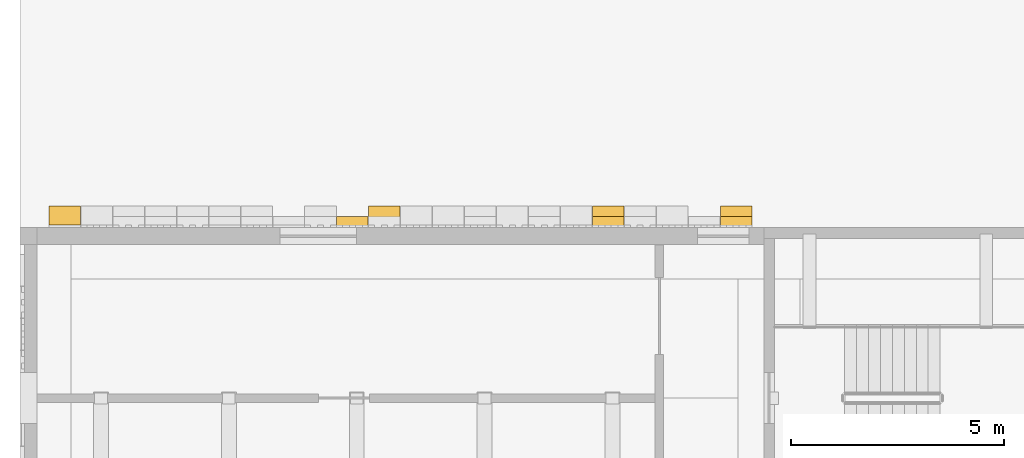
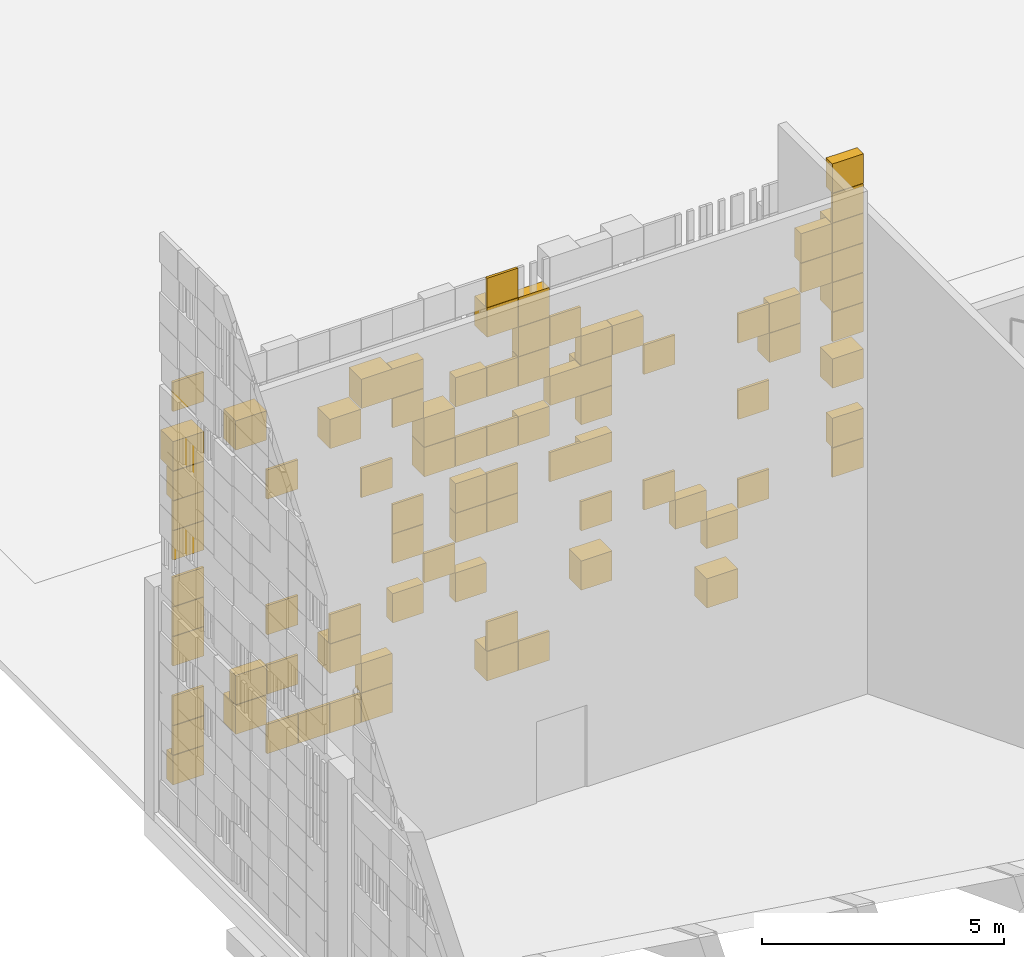
# One storey, part 114 of 125: 1 covering.
"""IFC4 building model written with IfcOpenShell, lengths in metres."""

from ifc_helpers import new_model, si_unit, direction, frame, origin, origin_2d, place, context, subcontext, project, spatial, rectangle, extrude, material, layer, layer_set, type_object, element, save


model = new_model("IFC4")

# Units and contexts
model_context = context("Model", 3, precision=1e-05, world=origin(), true_north=direction((0.0, 1.0)))
body_context = subcontext(model_context, "Body", "Model", "MODEL_VIEW")
ifc_project = project(units=[si_unit("LENGTHUNIT", "METRE"), si_unit("AREAUNIT", "SQUARE_METRE"), si_unit("VOLUMEUNIT", "CUBIC_METRE"), si_unit("PLANEANGLEUNIT", "RADIAN"), si_unit("MASSUNIT", "GRAM", prefix="KILO")], contexts=[model_context])

# Site, building, storey
site_placement = place(None, origin())
site = spatial("IfcSite", under=ifc_project, at=site_placement, CompositionType="ELEMENT")
building_placement = place(site_placement, origin())
building = spatial("IfcBuilding", under=site, at=building_placement, Name="Sun Court Science Centre", CompositionType="ELEMENT")
storey_placement = place(building_placement, origin())
storey = spatial("IfcBuildingStorey", under=building, at=storey_placement, Name="L00", CompositionType="ELEMENT", Elevation=0.0)

# Covering
ifc_material = material(Name="Terracotta shade 1", Category="masonry")
ifc_layer = layer(ifc_material, 0.06005859375)
ifc_layer_set = layer_set([ifc_layer], Name="Terracotta shade 1")
covering_type = type_object("IfcCoveringType", Name="Terracotta pixel panel shade 1", PredefinedType="CLADDING", material=ifc_layer_set)
covering_placement = place(storey_placement, origin())
element("IfcCovering", 1, at=covering_placement, inside=storey, type_object=covering_type, Name="Terracotta pixel cladding shade 1 north wall L00", PredefinedType="CLADDING", context=body_context, shape_type="SweptSolid", body=[
    extrude(rectangle(XDim=0.739990234375, YDim=0.06005859375, at=origin_2d()), frame((3.300048828125, 72.030029296875, 0.22998046875), z_axis=(0.0, 0.0, 1.0), x_axis=(1.0, 0.0, 0.0)), (0.0, 0.0, 1.0), 0.739990234375),
    extrude(rectangle(XDim=0.739990234375, YDim=0.06005859375, at=origin_2d()), frame((4.050048828125, 72.030029296875, 0.22998046875), z_axis=(0.0, 0.0, 1.0), x_axis=(1.0, 0.0, 0.0)), (0.0, 0.0, 1.0), 0.739990234375),
    extrude(rectangle(XDim=0.739990234375, YDim=0.06005859375, at=origin_2d()), frame((4.800048828125, 72.030029296875, 0.22998046875), z_axis=(0.0, 0.0, 1.0), x_axis=(1.0, 0.0, 0.0)), (0.0, 0.0, 1.0), 0.739990234375),
    extrude(rectangle(XDim=0.739990234375, YDim=0.06005859375, at=origin_2d()), frame((5.550048828125, 72.030029296875, 0.22998046875), z_axis=(0.0, 0.0, 1.0), x_axis=(1.0, 0.0, 0.0)), (0.0, 0.0, 1.0), 0.739990234375),
    extrude(rectangle(XDim=0.739990234375, YDim=0.510009765625, at=origin_2d()), frame((8.550048828125, 72.2548828125, 0.22998046875), z_axis=(0.0, 0.0, 1.0), x_axis=(1.0, 0.0, 0.0)), (0.0, 0.0, 1.0), 0.739990234375),
    extrude(rectangle(XDim=0.739990234375, YDim=0.06005859375, at=origin_2d()), frame((9.300048828125, 72.030029296875, 0.22998046875), z_axis=(0.0, 0.0, 1.0), x_axis=(1.0, 0.0, 0.0)), (0.0, 0.0, 1.0), 0.739990234375),
    extrude(rectangle(XDim=0.739990234375, YDim=0.510009765625, at=origin_2d()), frame((13.800048828125, 72.2548828125, 0.22998046875), z_axis=(0.0, 0.0, 1.0), x_axis=(1.0, 0.0, 0.0)), (0.0, 0.0, 1.0), 0.739990234375),
    extrude(rectangle(XDim=0.739990234375, YDim=0.510009765625, at=origin_2d()), frame((2.550048828125, 72.2548828125, 0.97998046875), z_axis=(0.0, 0.0, 1.0), x_axis=(1.0, 0.0, 0.0)), (0.0, 0.0, 1.0), 0.739990234375),
    extrude(rectangle(XDim=0.739990234375, YDim=0.260009765625, at=origin_2d()), frame((5.550048828125, 72.1298828125, 0.97998046875), z_axis=(0.0, 0.0, 1.0), x_axis=(1.0, 0.0, 0.0)), (0.0, 0.0, 1.0), 0.739990234375),
    extrude(rectangle(XDim=0.739990234375, YDim=0.06005859375, at=origin_2d()), frame((8.550048828125, 72.030029296875, 0.97998046875), z_axis=(0.0, 0.0, 1.0), x_axis=(1.0, 0.0, 0.0)), (0.0, 0.0, 1.0), 0.739990234375),
    extrude(rectangle(XDim=0.739990234375, YDim=0.260009765625, at=origin_2d()), frame((2.550048828125, 72.1298828125, 1.72998046875), z_axis=(0.0, 0.0, 1.0), x_axis=(1.0, 0.0, 0.0)), (0.0, 0.0, 1.0), 0.739990234375),
    extrude(rectangle(XDim=0.739990234375, YDim=0.06005859375, at=origin_2d()), frame((3.300048828125, 72.030029296875, 1.72998046875), z_axis=(0.0, 0.0, 1.0), x_axis=(1.0, 0.0, 0.0)), (0.0, 0.0, 1.0), 0.739990234375),
    extrude(rectangle(XDim=0.739990234375, YDim=0.510009765625, at=origin_2d()), frame((4.800048828125, 72.2548828125, 1.72998046875), z_axis=(0.0, 0.0, 1.0), x_axis=(1.0, 0.0, 0.0)), (0.0, 0.0, 1.0), 0.739990234375),
    extrude(rectangle(XDim=0.739990234375, YDim=0.510009765625, at=origin_2d()), frame((10.800048828125, 72.2548828125, 1.72998046875), z_axis=(0.0, 0.0, 1.0), x_axis=(1.0, 0.0, 0.0)), (0.0, 0.0, 1.0), 0.739990234375),
    extrude(rectangle(XDim=0.739990234375, YDim=0.260009765625, at=origin_2d()), frame((13.800048828125, 72.1298828125, 1.72998046875), z_axis=(0.0, 0.0, 1.0), x_axis=(1.0, 0.0, 0.0)), (0.0, 0.0, 1.0), 0.739990234375),
    extrude(rectangle(XDim=0.739990234375, YDim=0.06005859375, at=origin_2d()), frame((4.800048828125, 72.030029296875, 2.47998046875), z_axis=(0.0, 0.0, 1.0), x_axis=(1.0, 0.0, 0.0)), (0.0, 0.0, 1.0), 0.739990234375),
    extrude(rectangle(XDim=0.739990234375, YDim=0.260009765625, at=origin_2d()), frame((6.300048828125, 72.1298828125, 2.47998046875), z_axis=(0.0, 0.0, 1.0), x_axis=(1.0, 0.0, 0.0)), (0.0, 0.0, 1.0), 0.739990234375),
    extrude(rectangle(XDim=0.739990234375, YDim=0.260009765625, at=origin_2d()), frame((7.800048828125, 72.1298828125, 2.47998046875), z_axis=(0.0, 0.0, 1.0), x_axis=(1.0, 0.0, 0.0)), (0.0, 0.0, 1.0), 0.739990234375),
    extrude(rectangle(XDim=0.739990234375, YDim=0.260009765625, at=origin_2d()), frame((13.050048828125, 72.1298828125, 2.47998046875), z_axis=(0.0, 0.0, 1.0), x_axis=(1.0, 0.0, 0.0)), (0.0, 0.0, 1.0), 0.739990234375),
    extrude(rectangle(XDim=0.739990234375, YDim=0.06005859375, at=origin_2d()), frame((14.550048828125, 72.030029296875, 2.47998046875), z_axis=(0.0, 0.0, 1.0), x_axis=(1.0, 0.0, 0.0)), (0.0, 0.0, 1.0), 0.739990234375),
    extrude(rectangle(XDim=0.739990234375, YDim=0.06005859375, at=origin_2d()), frame((3.300048828125, 72.030029296875, 3.22998046875), z_axis=(0.0, 0.0, 1.0), x_axis=(1.0, 0.0, 0.0)), (0.0, 0.0, 1.0), 0.739990234375),
    extrude(rectangle(XDim=0.739990234375, YDim=0.06005859375, at=origin_2d()), frame((7.050048828125, 72.030029296875, 3.22998046875), z_axis=(0.0, 0.0, 1.0), x_axis=(1.0, 0.0, 0.0)), (0.0, 0.0, 1.0), 0.739990234375),
    extrude(rectangle(XDim=0.739990234375, YDim=0.06005859375, at=origin_2d()), frame((10.800048828125, 72.030029296875, 3.22998046875), z_axis=(0.0, 0.0, 1.0), x_axis=(1.0, 0.0, 0.0)), (0.0, 0.0, 1.0), 0.739990234375),
    extrude(rectangle(XDim=0.739990234375, YDim=0.06005859375, at=origin_2d()), frame((12.300048828125, 72.030029296875, 3.22998046875), z_axis=(0.0, 0.0, 1.0), x_axis=(1.0, 0.0, 0.0)), (0.0, 0.0, 1.0), 0.739990234375),
    extrude(rectangle(XDim=0.739990234375, YDim=0.06005859375, at=origin_2d()), frame((1.050048828125, 72.030029296875, 3.97998046875), z_axis=(0.0, 0.0, 1.0), x_axis=(1.0, 0.0, 0.0)), (0.0, 0.0, 1.0), 0.739990234375),
    extrude(rectangle(XDim=0.739990234375, YDim=0.06005859375, at=origin_2d()), frame((6.300048828125, 72.030029296875, 3.97998046875), z_axis=(0.0, 0.0, 1.0), x_axis=(1.0, 0.0, 0.0)), (0.0, 0.0, 1.0), 0.739990234375),
    extrude(rectangle(XDim=0.739990234375, YDim=0.260009765625, at=origin_2d()), frame((7.800048828125, 72.1298828125, 3.97998046875), z_axis=(0.0, 0.0, 1.0), x_axis=(1.0, 0.0, 0.0)), (0.0, 0.0, 1.0), 0.739990234375),
    extrude(rectangle(XDim=0.739990234375, YDim=0.06005859375, at=origin_2d()), frame((8.550048828125, 72.030029296875, 3.97998046875), z_axis=(0.0, 0.0, 1.0), x_axis=(1.0, 0.0, 0.0)), (0.0, 0.0, 1.0), 0.739990234375),
    extrude(rectangle(XDim=0.739990234375, YDim=0.06005859375, at=origin_2d()), frame((1.050048828125, 72.030029296875, 4.72998046875), z_axis=(0.0, 0.0, 1.0), x_axis=(1.0, 0.0, 0.0)), (0.0, 0.0, 1.0), 0.739990234375),
    extrude(rectangle(XDim=0.739990234375, YDim=0.06005859375, at=origin_2d()), frame((6.300048828125, 72.030029296875, 4.72998046875), z_axis=(0.0, 0.0, 1.0), x_axis=(1.0, 0.0, 0.0)), (0.0, 0.0, 1.0), 0.739990234375),
    extrude(rectangle(XDim=0.739990234375, YDim=0.260009765625, at=origin_2d()), frame((7.800048828125, 72.1298828125, 4.72998046875), z_axis=(0.0, 0.0, 1.0), x_axis=(1.0, 0.0, 0.0)), (0.0, 0.0, 1.0), 0.739990234375),
    extrude(rectangle(XDim=0.739990234375, YDim=0.06005859375, at=origin_2d()), frame((8.550048828125, 72.030029296875, 4.72998046875), z_axis=(0.0, 0.0, 1.0), x_axis=(1.0, 0.0, 0.0)), (0.0, 0.0, 1.0), 0.739990234375),
    extrude(rectangle(XDim=0.739990234375, YDim=0.06005859375, at=origin_2d()), frame((10.050048828125, 72.030029296875, 4.72998046875), z_axis=(0.0, 0.0, 1.0), x_axis=(1.0, 0.0, 0.0)), (0.0, 0.0, 1.0), 0.739990234375),
    extrude(rectangle(XDim=0.739990234375, YDim=0.260009765625, at=origin_2d()), frame((10.800048828125, 72.1298828125, 4.72998046875), z_axis=(0.0, 0.0, 1.0), x_axis=(1.0, 0.0, 0.0)), (0.0, 0.0, 1.0), 0.739990234375),
    extrude(rectangle(XDim=0.739990234375, YDim=0.06005859375, at=origin_2d()), frame((14.550048828125, 72.030029296875, 4.72998046875), z_axis=(0.0, 0.0, 1.0), x_axis=(1.0, 0.0, 0.0)), (0.0, 0.0, 1.0), 0.739990234375),
    extrude(rectangle(XDim=0.739990234375, YDim=0.06005859375, at=origin_2d()), frame((1.050048828125, 72.030029296875, 5.90478515625), z_axis=(0.0, 0.0, 1.0), x_axis=(1.0, 0.0, 0.0)), (0.0, 0.0, 1.0), 0.739990234375),
    extrude(rectangle(XDim=0.739990234375, YDim=0.06005859375, at=origin_2d()), frame((5.550048828125, 72.030029296875, 5.90478515625), z_axis=(0.0, 0.0, 1.0), x_axis=(1.0, 0.0, 0.0)), (0.0, 0.0, 1.0), 0.739990234375),
    extrude(rectangle(XDim=0.739990234375, YDim=0.510009765625, at=origin_2d()), frame((7.050048828125, 72.2548828125, 5.90478515625), z_axis=(0.0, 0.0, 1.0), x_axis=(1.0, 0.0, 0.0)), (0.0, 0.0, 1.0), 0.739990234375),
    extrude(rectangle(XDim=0.739990234375, YDim=0.06005859375, at=origin_2d()), frame((7.800048828125, 72.030029296875, 5.90478515625), z_axis=(0.0, 0.0, 1.0), x_axis=(1.0, 0.0, 0.0)), (0.0, 0.0, 1.0), 0.739990234375),
    extrude(rectangle(XDim=0.739990234375, YDim=0.06005859375, at=origin_2d()), frame((8.550048828125, 72.030029296875, 5.90478515625), z_axis=(0.0, 0.0, 1.0), x_axis=(1.0, 0.0, 0.0)), (0.0, 0.0, 1.0), 0.739990234375),
    extrude(rectangle(XDim=0.739990234375, YDim=0.260009765625, at=origin_2d()), frame((9.300048828125, 72.1298828125, 5.90478515625), z_axis=(0.0, 0.0, 1.0), x_axis=(1.0, 0.0, 0.0)), (0.0, 0.0, 1.0), 0.739990234375),
    extrude(rectangle(XDim=0.739990234375, YDim=0.260009765625, at=origin_2d()), frame((10.800048828125, 72.1298828125, 5.90478515625), z_axis=(0.0, 0.0, 1.0), x_axis=(1.0, 0.0, 0.0)), (0.0, 0.0, 1.0), 0.739990234375),
    extrude(rectangle(XDim=0.739990234375, YDim=0.510009765625, at=origin_2d()), frame((15.300048828125, 72.2548828125, 5.90478515625), z_axis=(0.0, 0.0, 1.0), x_axis=(1.0, 0.0, 0.0)), (0.0, 0.0, 1.0), 0.739990234375),
    extrude(rectangle(XDim=0.739990234375, YDim=0.06005859375, at=origin_2d()), frame((3.300048828125, 72.030029296875, 6.65478515625), z_axis=(0.0, 0.0, 1.0), x_axis=(1.0, 0.0, 0.0)), (0.0, 0.0, 1.0), 0.739990234375),
    extrude(rectangle(XDim=0.739990234375, YDim=0.510009765625, at=origin_2d()), frame((7.050048828125, 72.2548828125, 6.65478515625), z_axis=(0.0, 0.0, 1.0), x_axis=(1.0, 0.0, 0.0)), (0.0, 0.0, 1.0), 0.739990234375),
    extrude(rectangle(XDim=0.739990234375, YDim=0.260009765625, at=origin_2d()), frame((10.050048828125, 72.1298828125, 6.65478515625), z_axis=(0.0, 0.0, 1.0), x_axis=(1.0, 0.0, 0.0)), (0.0, 0.0, 1.0), 0.739990234375),
    extrude(rectangle(XDim=0.739990234375, YDim=0.510009765625, at=origin_2d()), frame((10.800048828125, 72.2548828125, 6.65478515625), z_axis=(0.0, 0.0, 1.0), x_axis=(1.0, 0.0, 0.0)), (0.0, 0.0, 1.0), 0.739990234375),
    extrude(rectangle(XDim=0.739990234375, YDim=0.06005859375, at=origin_2d()), frame((12.300048828125, 72.030029296875, 6.65478515625), z_axis=(0.0, 0.0, 1.0), x_axis=(1.0, 0.0, 0.0)), (0.0, 0.0, 1.0), 0.739990234375),
    extrude(rectangle(XDim=0.739990234375, YDim=0.06005859375, at=origin_2d()), frame((14.550048828125, 72.030029296875, 6.65478515625), z_axis=(0.0, 0.0, 1.0), x_axis=(1.0, 0.0, 0.0)), (0.0, 0.0, 1.0), 0.739990234375),
    extrude(rectangle(XDim=0.739990234375, YDim=0.260009765625, at=origin_2d()), frame((15.300048828125, 72.1298828125, 6.65478515625), z_axis=(0.0, 0.0, 1.0), x_axis=(1.0, 0.0, 0.0)), (0.0, 0.0, 1.0), 0.739990234375),
    extrude(rectangle(XDim=0.739990234375, YDim=0.510009765625, at=origin_2d()), frame((4.800048828125, 72.2548828125, 7.40478515625), z_axis=(0.0, 0.0, 1.0), x_axis=(1.0, 0.0, 0.0)), (0.0, 0.0, 1.0), 0.739990234375),
    extrude(rectangle(XDim=0.739990234375, YDim=0.06005859375, at=origin_2d()), frame((6.300048828125, 72.030029296875, 7.40478515625), z_axis=(0.0, 0.0, 1.0), x_axis=(1.0, 0.0, 0.0)), (0.0, 0.0, 1.0), 0.739990234375),
    extrude(rectangle(XDim=0.739990234375, YDim=0.260009765625, at=origin_2d()), frame((7.800048828125, 72.1298828125, 7.40478515625), z_axis=(0.0, 0.0, 1.0), x_axis=(1.0, 0.0, 0.0)), (0.0, 0.0, 1.0), 0.739990234375),
    extrude(rectangle(XDim=0.739990234375, YDim=0.06005859375, at=origin_2d()), frame((8.550048828125, 72.030029296875, 7.40478515625), z_axis=(0.0, 0.0, 1.0), x_axis=(1.0, 0.0, 0.0)), (0.0, 0.0, 1.0), 0.739990234375),
    extrude(rectangle(XDim=0.739990234375, YDim=0.260009765625, at=origin_2d()), frame((9.300048828125, 72.1298828125, 7.40478515625), z_axis=(0.0, 0.0, 1.0), x_axis=(1.0, 0.0, 0.0)), (0.0, 0.0, 1.0), 0.739990234375),
    extrude(rectangle(XDim=0.739990234375, YDim=0.260009765625, at=origin_2d()), frame((10.800048828125, 72.1298828125, 7.40478515625), z_axis=(0.0, 0.0, 1.0), x_axis=(1.0, 0.0, 0.0)), (0.0, 0.0, 1.0), 0.739990234375),
    extrude(rectangle(XDim=0.739990234375, YDim=0.260009765625, at=origin_2d()), frame((11.550048828125, 72.1298828125, 7.40478515625), z_axis=(0.0, 0.0, 1.0), x_axis=(1.0, 0.0, 0.0)), (0.0, 0.0, 1.0), 0.739990234375),
    extrude(rectangle(XDim=0.739990234375, YDim=0.06005859375, at=origin_2d()), frame((16.050048828125, 72.030029296875, 7.40478515625), z_axis=(0.0, 0.0, 1.0), x_axis=(1.0, 0.0, 0.0)), (0.0, 0.0, 1.0), 0.739990234375),
    extrude(rectangle(XDim=0.739990234375, YDim=0.06005859375, at=origin_2d()), frame((16.800048828125, 72.030029296875, 7.40478515625), z_axis=(0.0, 0.0, 1.0), x_axis=(1.0, 0.0, 0.0)), (0.0, 0.0, 1.0), 0.739990234375),
    extrude(rectangle(XDim=0.739990234375, YDim=0.510009765625, at=origin_2d()), frame((1.050048828125, 72.2548828125, 8.15478515625), z_axis=(0.0, 0.0, 1.0), x_axis=(1.0, 0.0, 0.0)), (0.0, 0.0, 1.0), 0.739990234375),
    extrude(rectangle(XDim=0.739990234375, YDim=0.510009765625, at=origin_2d()), frame((2.550048828125, 72.2548828125, 8.15478515625), z_axis=(0.0, 0.0, 1.0), x_axis=(1.0, 0.0, 0.0)), (0.0, 0.0, 1.0), 0.739990234375),
    extrude(rectangle(XDim=0.739990234375, YDim=0.510009765625, at=origin_2d()), frame((5.550048828125, 72.2548828125, 8.15478515625), z_axis=(0.0, 0.0, 1.0), x_axis=(1.0, 0.0, 0.0)), (0.0, 0.0, 1.0), 0.739990234375),
    extrude(rectangle(XDim=0.739990234375, YDim=0.260009765625, at=origin_2d()), frame((6.300048828125, 72.1298828125, 8.15478515625), z_axis=(0.0, 0.0, 1.0), x_axis=(1.0, 0.0, 0.0)), (0.0, 0.0, 1.0), 0.739990234375),
    extrude(rectangle(XDim=0.739990234375, YDim=0.260009765625, at=origin_2d()), frame((9.300048828125, 72.1298828125, 8.15478515625), z_axis=(0.0, 0.0, 1.0), x_axis=(1.0, 0.0, 0.0)), (0.0, 0.0, 1.0), 0.739990234375),
    extrude(rectangle(XDim=0.739990234375, YDim=0.06005859375, at=origin_2d()), frame((10.050048828125, 72.030029296875, 8.15478515625), z_axis=(0.0, 0.0, 1.0), x_axis=(1.0, 0.0, 0.0)), (0.0, 0.0, 1.0), 0.739990234375),
    extrude(rectangle(XDim=0.739990234375, YDim=0.260009765625, at=origin_2d()), frame((16.050048828125, 72.1298828125, 8.15478515625), z_axis=(0.0, 0.0, 1.0), x_axis=(1.0, 0.0, 0.0)), (0.0, 0.0, 1.0), 0.739990234375),
    extrude(rectangle(XDim=0.739990234375, YDim=0.510009765625, at=origin_2d()), frame((8.550048828125, 72.2548828125, 8.90478515625), z_axis=(0.0, 0.0, 1.0), x_axis=(1.0, 0.0, 0.0)), (0.0, 0.0, 1.0), 0.739990234375),
    extrude(rectangle(XDim=0.739990234375, YDim=0.260009765625, at=origin_2d()), frame((9.300048828125, 72.1298828125, 8.90478515625), z_axis=(0.0, 0.0, 1.0), x_axis=(1.0, 0.0, 0.0)), (0.0, 0.0, 1.0), 0.739990234375),
    extrude(rectangle(XDim=0.739990234375, YDim=0.06005859375, at=origin_2d()), frame((8.550048828125, 72.030029296875, 9.65478515625), z_axis=(0.0, 0.0, 1.0), x_axis=(1.0, 0.0, 0.0)), (0.0, 0.0, 1.0), 0.739990234375),
    extrude(rectangle(XDim=0.739990234375, YDim=0.06005859375, at=origin_2d()), frame((1.050048828125, 72.030029296875, 0.97998046875), z_axis=(0.0, 0.0, 1.0), x_axis=(1.0, 0.0, 0.0)), (0.0, 0.0, 1.0), 0.739990234375),
    extrude(rectangle(XDim=0.739990234375, YDim=0.06005859375, at=origin_2d()), frame((1.050048828125, 72.030029296875, 6.65478515625), z_axis=(0.0, 0.0, 1.0), x_axis=(1.0, 0.0, 0.0)), (0.0, 0.0, 1.0), 0.739990234375),
    extrude(rectangle(XDim=0.739990234375, YDim=0.06005859375, at=origin_2d()), frame((16.800048828125, 72.030029296875, 5.90478515625), z_axis=(0.0, 0.0, 1.0), x_axis=(1.0, 0.0, 0.0)), (0.0, 0.0, 1.0), 0.739990234375),
    extrude(rectangle(XDim=0.739990234375, YDim=0.260009765625, at=origin_2d()), frame((16.800048828125, 72.1298828125, 9.65478515625), z_axis=(0.0, 0.0, 1.0), x_axis=(1.0, 0.0, 0.0)), (0.0, 0.0, 1.0), 0.739990234375),
    extrude(rectangle(XDim=0.739990234375, YDim=0.260009765625, at=origin_2d()), frame((1.050048828125, 72.1298828125, 0.22998046875), z_axis=(0.0, 0.0, 1.0), x_axis=(1.0, 0.0, 0.0)), (0.0, 0.0, 1.0), 0.739990234375),
    extrude(rectangle(XDim=0.739990234375, YDim=0.06005859375, at=origin_2d()), frame((1.050048828125, 72.030029296875, 1.72998046875), z_axis=(0.0, 0.0, 1.0), x_axis=(1.0, 0.0, 0.0)), (0.0, 0.0, 1.0), 0.739990234375),
    extrude(rectangle(XDim=0.739990234375, YDim=0.260009765625, at=origin_2d()), frame((1.050048828125, 72.1298828125, 7.40478515625), z_axis=(0.0, 0.0, 1.0), x_axis=(1.0, 0.0, 0.0)), (0.0, 0.0, 1.0), 0.739990234375),
    extrude(rectangle(XDim=0.739990234375, YDim=0.06005859375, at=origin_2d()), frame((1.050048828125, 72.030029296875, 9.65478515625), z_axis=(0.0, 0.0, 1.0), x_axis=(1.0, 0.0, 0.0)), (0.0, 0.0, 1.0), 0.739990234375),
    extrude(rectangle(XDim=0.739990234375, YDim=0.06005859375, at=origin_2d()), frame((16.800048828125, 72.030029296875, 2.47998046875), z_axis=(0.0, 0.0, 1.0), x_axis=(1.0, 0.0, 0.0)), (0.0, 0.0, 1.0), 0.739990234375),
    extrude(rectangle(XDim=0.739990234375, YDim=0.510009765625, at=origin_2d()), frame((16.800048828125, 72.2548828125, 8.15478515625), z_axis=(0.0, 0.0, 1.0), x_axis=(1.0, 0.0, 0.0)), (0.0, 0.0, 1.0), 0.739990234375),
    extrude(rectangle(XDim=0.739990234375, YDim=0.06005859375, at=origin_2d()), frame((1.050048828125, 72.030029296875, 3.22998046875), z_axis=(0.0, 0.0, 1.0), x_axis=(1.0, 0.0, 0.0)), (0.0, 0.0, 1.0), 0.739990234375),
    extrude(rectangle(XDim=0.739990234375, YDim=0.260009765625, at=origin_2d()), frame((16.800048828125, 72.1298828125, 3.22998046875), z_axis=(0.0, 0.0, 1.0), x_axis=(1.0, 0.0, 0.0)), (0.0, 0.0, 1.0), 0.739990234375),
    extrude(rectangle(XDim=0.739990234375, YDim=0.510009765625, at=origin_2d()), frame((16.800048828125, 72.2548828125, 4.72998046875), z_axis=(0.0, 0.0, 1.0), x_axis=(1.0, 0.0, 0.0)), (0.0, 0.0, 1.0), 0.739990234375),
    extrude(rectangle(XDim=0.739990234375, YDim=0.06005859375, at=origin_2d()), frame((16.800048828125, 72.030029296875, 8.90478515625), z_axis=(0.0, 0.0, 1.0), x_axis=(1.0, 0.0, 0.0)), (0.0, 0.0, 1.0), 0.739990234375),
    extrude(rectangle(XDim=0.739990234375, YDim=0.510009765625, at=origin_2d()), frame((16.800048828125, 72.2548828125, 6.65478515625), z_axis=(0.0, 0.0, 1.0), x_axis=(1.0, 0.0, 0.0)), (0.0, 0.0, 1.0), 0.739990234375),
])

save(model, "model.ifc")
